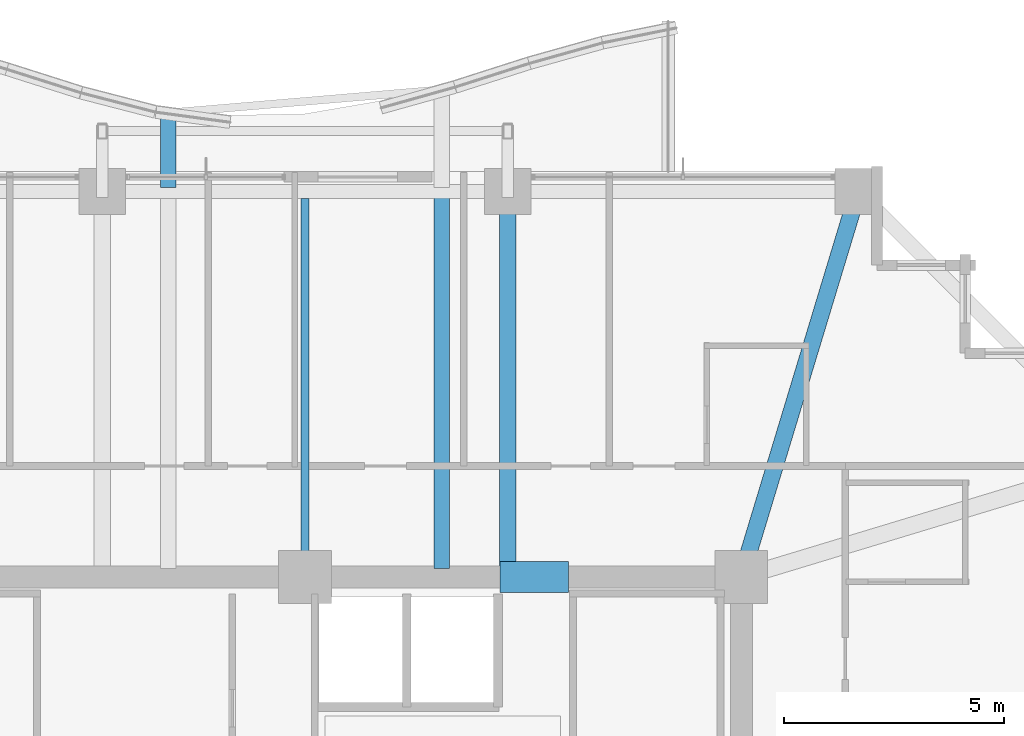
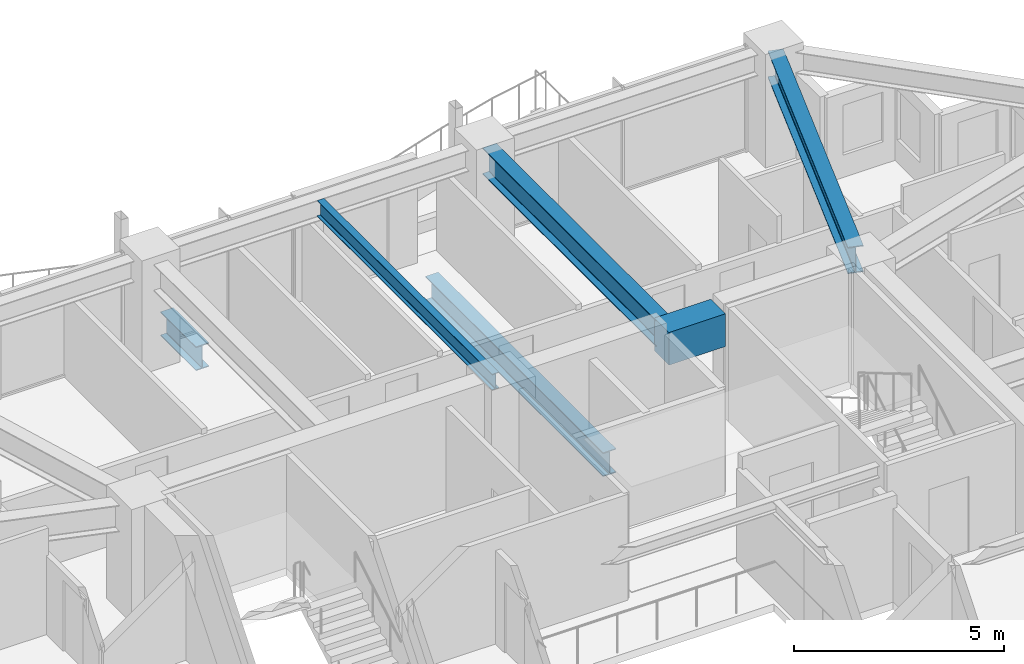
# One storey, part 18 of 34: 6 beams.
"""IFC4 building model written with IfcOpenShell, lengths in metres."""

import ifcopenshell
import ifcopenshell.guid

model = None  # the IFC model being written
_history = None  # IfcOwnerHistory: only IFC2X3 demands one
_inside = {}  # id of a spatial element -> (the spatial element, [elements in it])
_under = {}  # id of a project, library or spatial element -> (it, [spatial elements below it])
_declared = {}  # id of a project -> (the project, [libraries it declares])
_typed = {}  # id of a type object -> (the type object, [elements of that type])
_made_of = {}  # id of a material, layer set ... -> (it, [elements and type objects made of it])


def new_model(schema):
    """Start an empty IFC model of exactly this schema.

    Asked for "IFC4X3", IfcOpenShell would pick the latest addendum, in which some entities
    have other attributes; the version numbers below select the first issue.
    IFC2X3 requires an IfcOwnerHistory on every rooted entity: one is made here for all.
    """
    global model, _history
    if schema == "IFC4X3":
        model = ifcopenshell.file(schema_version=(4, 3, 0, 0))
    else:
        model = ifcopenshell.file(schema=schema)
    _inside.clear()
    _under.clear()
    _declared.clear()
    _typed.clear()
    _made_of.clear()
    _history = None
    if model.schema == "IFC2X3":
        org = make("IfcOrganization", Name="unknown")
        user = make(
            "IfcPersonAndOrganization",
            ThePerson=make("IfcPerson", FamilyName="unknown"),
            TheOrganization=org,
        )
        app = make(
            "IfcApplication",
            ApplicationDeveloper=org,
            Version="unknown",
            ApplicationFullName="unknown",
            ApplicationIdentifier="unknown",
        )
        _history = make(
            "IfcOwnerHistory",
            OwningUser=user,
            OwningApplication=app,
            ChangeAction="ADDED",
            CreationDate=0,
        )
    return model


def make(cls, **values):
    """One entity of the class cls with the attributes given. An attribute that is None is left unset."""
    return model.create_entity(
        cls, **{name: value for name, value in values.items() if value is not None}
    )


def rooted(cls, **values):
    """An entity with a GlobalId (a new one), such as an element, a storey or a relation."""
    return make(cls, GlobalId=ifcopenshell.guid.new(), OwnerHistory=_history, **values)


def si_unit(unit_type, name, prefix=None):
    """IfcSIUnit, for example si_unit("LENGTHUNIT", "METRE", prefix="MILLI")."""
    return make("IfcSIUnit", UnitType=unit_type, Prefix=prefix, Name=name)


def assignment(units):
    """IfcUnitAssignment: the units of a project."""
    return None if units is None else make("IfcUnitAssignment", Units=units)


def point(xyz):
    """IfcCartesianPoint."""
    return None if xyz is None else make("IfcCartesianPoint", Coordinates=xyz)


def direction(xyz):
    """IfcDirection."""
    return None if xyz is None else make("IfcDirection", DirectionRatios=xyz)


def frame(location, z_axis=None, x_axis=None):
    """IfcAxis2Placement3D, a coordinate frame: its origin and axes. An axis left out is left unset."""
    return make(
        "IfcAxis2Placement3D",
        Location=point(location),
        Axis=direction(z_axis),
        RefDirection=direction(x_axis),
    )


def frame_2d(location, x_axis=None):
    """IfcAxis2Placement2D, a coordinate frame in the plane: its origin and x axis."""
    return make(
        "IfcAxis2Placement2D", Location=point(location), RefDirection=direction(x_axis)
    )


def origin():
    """The frame at (0, 0, 0) with its axes left unset."""
    return frame((0.0, 0.0, 0.0))


def origin_2d():
    """The frame at (0, 0) in the plane with its x axis left unset."""
    return frame_2d((0.0, 0.0))


def place(relative_to, where):
    """IfcLocalPlacement: puts the frame where relative to a parent placement (None: the world)."""
    return make(
        "IfcLocalPlacement", PlacementRelTo=relative_to, RelativePlacement=where
    )


def context(
    kind, dimensions, precision=None, world=None, true_north=None, identifier=None
):
    """IfcGeometricRepresentationContext, for example the 3D "Model" context."""
    return make(
        "IfcGeometricRepresentationContext",
        ContextIdentifier=identifier,
        ContextType=kind,
        CoordinateSpaceDimension=dimensions,
        Precision=precision,
        WorldCoordinateSystem=world,
        TrueNorth=true_north,
    )


def subcontext(parent, identifier, kind, view, scale=None):
    """IfcGeometricRepresentationSubContext, for example "Body" below "Model"."""
    return make(
        "IfcGeometricRepresentationSubContext",
        ContextIdentifier=identifier,
        ContextType=kind,
        ParentContext=parent,
        TargetScale=scale,
        TargetView=view,
    )


def project(units=None, contexts=None):
    """IfcProject with its units and contexts."""
    return rooted(
        "IfcProject",
        Name="project",
        RepresentationContexts=contexts,
        UnitsInContext=assignment(units),
    )


def spatial(cls, under=None, at=None, **own):
    """A site, building, storey or space (cls), placed at a placement, below another one or the project."""
    s = rooted(cls, ObjectPlacement=at, **own)
    if under is not None:
        _under.setdefault(under.id(), (under, []))[1].append(s)
    return s


def profile(cls, at=None, kind="AREA", **sizes):
    """A parametric profile (cls). Its sizes go by their IFC names, for example OverallWidth=200.0."""
    return make(cls, ProfileType=kind, Position=at, **sizes)


def rectangle(**sizes):
    """IfcRectangleProfileDef."""
    return profile("IfcRectangleProfileDef", **sizes)


def i_section(**sizes):
    """IfcIShapeProfileDef."""
    return profile("IfcIShapeProfileDef", **sizes)


def extrude(swept, where, along, depth):
    """IfcExtrudedAreaSolid: the profile swept, set in the frame where, extruded along a direction by depth."""
    return make(
        "IfcExtrudedAreaSolid",
        SweptArea=swept,
        Position=where,
        ExtrudedDirection=direction(along),
        Depth=depth,
    )


def shape(context_of_items, identifier, shape_type, items):
    """IfcShapeRepresentation: the items that make up one representation, for example the "Body"."""
    return make(
        "IfcShapeRepresentation",
        ContextOfItems=context_of_items,
        RepresentationIdentifier=identifier,
        RepresentationType=shape_type,
        Items=items,
    )


def material(Name=None, Category=None):
    """IfcMaterial."""
    return make("IfcMaterial", Name=Name, Category=Category)


def material_profile(
    of_material, cross_section, Name=None, Category=None, Priority=None
):
    """IfcMaterialProfile: a cross section and its material."""
    return make(
        "IfcMaterialProfile",
        Name=Name,
        Material=of_material,
        Profile=cross_section,
        Priority=Priority,
        Category=Category,
    )


def profile_set(profiles, Name=None, composite=None):
    """IfcMaterialProfileSet."""
    return make(
        "IfcMaterialProfileSet",
        Name=Name,
        MaterialProfiles=profiles,
        CompositeProfile=composite,
    )


def made_of(thing, what):
    """Note that an element or type object is made of a material, layer set ...; save() writes the relation."""
    if what is not None:
        _made_of.setdefault(what.id(), (what, []))[1].append(thing)
    return thing


def type_object(cls, material=None, **own):
    """A type object (cls), such as IfcWallType, which elements share."""
    return made_of(rooted(cls, **own), material)


def element(
    cls,
    number,
    at=None,
    inside=None,
    cuts=None,
    type_object=None,
    material=None,
    context=None,
    identifier="Body",
    shape_type=None,
    held_by="IfcProductDefinitionShape",
    body=None,
    shapes=None,
    **own,
):
    """One element of the class cls, such as IfcWall. Its Tag is "e" and its number.

    at: its placement. inside: the storey or other place that contains it. cuts: it is an
    opening in that element (IfcRelVoidsElement). A single representation is given by context,
    identifier, shape_type and body (its items); several are given by shapes. held_by: the class
    of the entity that holds the representations. save() writes the other relations.
    """
    e = rooted(cls, Tag="e%d" % number, ObjectPlacement=at, **own)
    if body is not None:
        shapes = [shape(context, identifier, shape_type, body)]
    if shapes is not None:
        e.Representation = make(held_by, Representations=shapes)
    if inside is not None:
        _inside.setdefault(inside.id(), (inside, []))[1].append(e)
    if cuts is not None:
        rooted(
            "IfcRelVoidsElement", RelatingBuildingElement=cuts, RelatedOpeningElement=e
        )
    if type_object is not None:
        _typed.setdefault(type_object.id(), (type_object, []))[1].append(e)
    return made_of(e, material)


def aggregate(whole, parts):
    """IfcRelAggregates: a whole, such as a stair, and the parts it consists of."""
    return rooted("IfcRelAggregates", RelatingObject=whole, RelatedObjects=parts)


def save(model, path):
    """Write the relations noted so far, then the file.

    IfcRelAggregates (storeys below a building ...), IfcRelContainedInSpatialStructure (elements
    in a storey), IfcRelDefinesByType, IfcRelAssociatesMaterial and IfcRelDeclares: one each for
    every whole, place, type object, material and project.
    """
    for whole, parts in _under.values():
        aggregate(whole, parts)
    for where, things in _inside.values():
        rooted(
            "IfcRelContainedInSpatialStructure",
            RelatedElements=things,
            RelatingStructure=where,
        )
    for kind, things in _typed.values():
        rooted("IfcRelDefinesByType", RelatedObjects=things, RelatingType=kind)
    for what, things in _made_of.values():
        rooted("IfcRelAssociatesMaterial", RelatedObjects=things, RelatingMaterial=what)
    for by, libraries in _declared.values():
        rooted("IfcRelDeclares", RelatingContext=by, RelatedDefinitions=libraries)
    model.write(path)


model = new_model("IFC4")

# Units and contexts
model_context = context("Model", 3, precision=1e-05, world=origin(), true_north=direction((0.0, 1.0)))
body_context = subcontext(model_context, "Body", "Model", "MODEL_VIEW")
ifc_project = project(units=[si_unit("LENGTHUNIT", "METRE"), si_unit("AREAUNIT", "SQUARE_METRE"), si_unit("VOLUMEUNIT", "CUBIC_METRE"), si_unit("PLANEANGLEUNIT", "RADIAN"), si_unit("MASSUNIT", "GRAM", prefix="KILO")], contexts=[model_context])

# Site, building, storey
site_placement = place(None, origin())
site = spatial("IfcSite", under=ifc_project, at=site_placement, CompositionType="ELEMENT")
building_placement = place(site_placement, origin())
building = spatial("IfcBuilding", under=site, at=building_placement, Name="Kolvaren Belvedere", CompositionType="ELEMENT")
storey_placement = place(building_placement, frame((0.0, 0.0, 111.800048828125)))
storey = spatial("IfcBuildingStorey", under=building, at=storey_placement, Name="L32", CompositionType="ELEMENT", Elevation=111.800048828125)

# Beams
ifc_material_1 = material(Name="Structural steel ASTM A992 Grade 50", Category="steel")
ifc_material_profile_1 = material_profile(ifc_material_1, i_section(OverallWidth=0.35498046875, OverallDepth=0.696044921875, WebThickness=0.015380859375, FlangeThickness=0.02490234375, FilletRadius=0.02197265625, at=origin_2d()), Name="W27X146")
ifc_profile_set_1 = profile_set([ifc_material_profile_1], Name="Structural steel ASTM A992 Grade 50")
beam_type_1 = type_object("IfcBeamType", Name="BM-CANT-BAL", PredefinedType="BEAM", material=ifc_profile_set_1)
beam_1_placement = place(storey_placement, frame((-3.10009765625, 18.7451171875, -0.568115234375), z_axis=(0.0, 1.0, 0.0), x_axis=(-1.0, 0.0, 0.0)))
element("IfcBeam", 1, at=beam_1_placement, inside=storey, type_object=beam_type_1, Name="L32 Planted Balcony Cantilever BAL-N-1", PredefinedType="BEAM", context=body_context, shape_type="SweptSolid", body=[
    extrude(i_section(OverallWidth=0.35498046875, OverallDepth=0.696044921875, WebThickness=0.015380859375, FlangeThickness=0.02490234375, FilletRadius=0.02197265625, at=origin_2d()), origin(), (0.0, 0.0, 1.0), 1.687255859375),
])
ifc_material_2 = material(Name="Structural steel ASTM A992 Grade 50", Category="steel")
ifc_material_profile_2 = material_profile(ifc_material_2, i_section(OverallWidth=0.35498046875, OverallDepth=0.696044921875, WebThickness=0.015380859375, FlangeThickness=0.02490234375, FilletRadius=0.02197265625, at=origin_2d()), Name="W27X146")
ifc_profile_set_2 = profile_set([ifc_material_profile_2], Name="Structural steel ASTM A992 Grade 50")
beam_type_2 = type_object("IfcBeamType", Name="BM-GIRD-W27X146", PredefinedType="BEAM", material=ifc_profile_set_2)
beam_2_placement = place(storey_placement, frame((3.10009765625, 10.090087890625, -0.568115234375), z_axis=(0.0, 1.0, 0.0), x_axis=(-1.0, 0.0, 0.0)))
element("IfcBeam", 2, at=beam_2_placement, inside=storey, type_object=beam_type_2, Name="L32 Balcony Interior Back-Span Girder BAL-N-2", PredefinedType="BEAM", context=body_context, shape_type="SweptSolid", body=[
    extrude(i_section(OverallWidth=0.35498046875, OverallDepth=0.696044921875, WebThickness=0.015380859375, FlangeThickness=0.02490234375, FilletRadius=0.02197265625, at=origin_2d()), origin(), (0.0, 0.0, 1.0), 8.46484375),
])
ifc_material_3 = material(Name="Structural steel ASTM A992 Grade 50", Category="steel")
ifc_material_profile_3 = material_profile(ifc_material_3, i_section(OverallWidth=0.381103515625, OverallDepth=0.77294921875, WebThickness=0.0166015625, FlangeThickness=0.027099609375, FilletRadius=0.02392578125, at=origin_2d()), Name="W30X173")
ifc_profile_set_3 = profile_set([ifc_material_profile_3], Name="Structural steel ASTM A992 Grade 50")
beam_type_3 = type_object("IfcBeamType", Name="BM-GIRD-W30X173", PredefinedType="BEAM", material=ifc_profile_set_3)
beam_3_placement = place(storey_placement, frame((4.60009765625, 10.14990234375, 2.693359375), z_axis=(0.0, 1.0, 0.0), x_axis=(-1.0, 0.0, 0.0)))
element("IfcBeam", 3, at=beam_3_placement, inside=storey, type_object=beam_type_3, Name="L32 North Radial Girder P", PredefinedType="BEAM", context=body_context, shape_type="SweptSolid", body=[
    extrude(i_section(OverallWidth=0.381103515625, OverallDepth=0.77294921875, WebThickness=0.0166015625, FlangeThickness=0.027099609375, FilletRadius=0.02392578125, at=origin_2d()), origin(), (0.0, 0.0, 1.0), 8.263916015625),
])
beam_4_placement = place(storey_placement, frame((10.059326171875, 10.426513671875, 2.693359375), z_axis=(0.289858652454, 0.957069465398, 0.0), x_axis=(-0.957069465398, 0.289858652454, 0.0)))
element("IfcBeam", 4, at=beam_4_placement, inside=storey, type_object=beam_type_3, Name="L32 Corner Core-to-Perimeter Girder CC3-N4", PredefinedType="BEAM", context=body_context, shape_type="SweptSolid", body=[
    extrude(i_section(OverallWidth=0.381103515625, OverallDepth=0.77294921875, WebThickness=0.0166015625, FlangeThickness=0.027099609375, FilletRadius=0.02392578125, at=origin_2d()), origin(), (0.0, 0.0, 1.0), 8.38232421875),
])
ifc_material_4 = material(Name="Structural steel ASTM A992 Grade 50", Category="steel")
ifc_material_profile_4 = material_profile(ifc_material_4, i_section(OverallWidth=0.19091796875, OverallDepth=0.4599609375, WebThickness=0.010009765625, FlangeThickness=0.01611328125, FilletRadius=0.014892578125, at=origin_2d()), Name="W18X55")
ifc_profile_set_4 = profile_set([ifc_material_profile_4], Name="Structural steel ASTM A992 Grade 50")
beam_type_4 = type_object("IfcBeamType", Name="BM-JOIST-W18X55", PredefinedType="BEAM", material=ifc_profile_set_4)
beam_5_placement = place(storey_placement, frame((0.0, 10.14990234375, 2.849853515625), z_axis=(0.0, 1.0, 0.0), x_axis=(-1.0, 0.0, 0.0)))
element("IfcBeam", 5, at=beam_5_placement, inside=storey, type_object=beam_type_4, Name="L32 North Centre Floor Beam", PredefinedType="BEAM", context=body_context, shape_type="SweptSolid", body=[
    extrude(i_section(OverallWidth=0.19091796875, OverallDepth=0.4599609375, WebThickness=0.010009765625, FlangeThickness=0.01611328125, FilletRadius=0.014892578125, at=origin_2d()), origin(), (0.0, 0.0, 1.0), 8.337646484375),
])
ifc_material_5 = material(Name="Concrete C60/75", Category="concrete")
ifc_material_profile_5 = material_profile(ifc_material_5, rectangle(XDim=0.699951171875, YDim=0.949951171875, at=origin_2d()), Name="RC 700X950")
ifc_profile_set_5 = profile_set([ifc_material_profile_5], Name="Concrete C60/75")
beam_type_5 = type_object("IfcBeamType", Name="BM-LINT-950", PredefinedType="LINTEL", material=ifc_profile_set_5)
beam_6_placement = place(storey_placement, frame((4.419921875, 9.89990234375, 2.60498046875), z_axis=(1.0, 0.0, 0.0), x_axis=(0.0, 1.0, 0.0)))
element("IfcBeam", 6, at=beam_6_placement, inside=storey, type_object=beam_type_5, Name="L32 North Core Coupling Lintel", PredefinedType="LINTEL", context=body_context, shape_type="SweptSolid", body=[
    extrude(rectangle(XDim=0.699951171875, YDim=0.949951171875, at=origin_2d()), origin(), (0.0, 0.0, 1.0), 1.56005859375),
])

save(model, "model.ifc")
